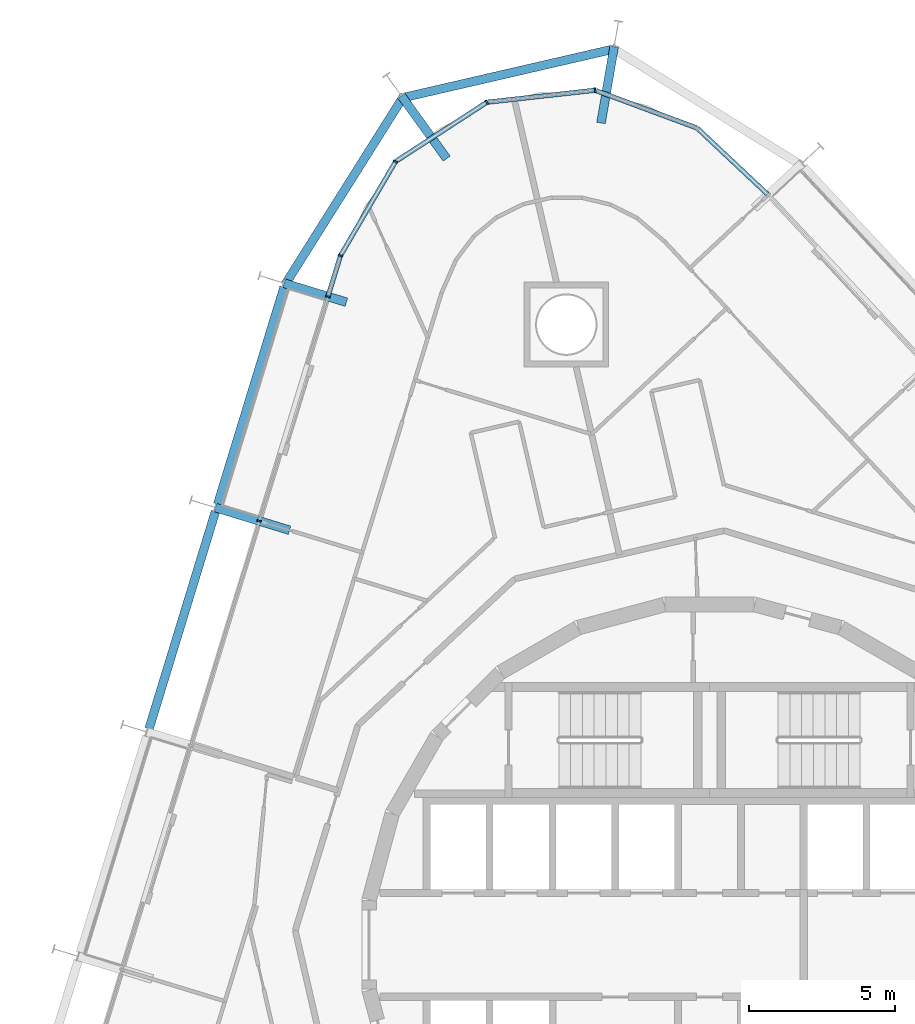
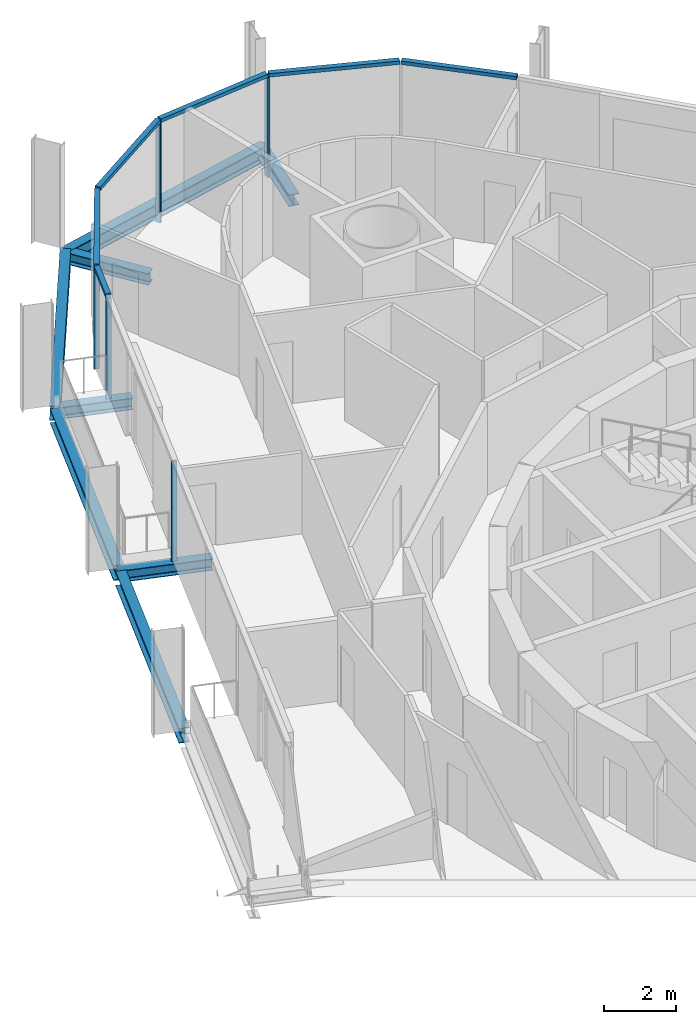
# One storey, part 7 of 18: 12 members, 8 beams, 2 elements without a shape of their own.
"""IFC4 building model written with IfcOpenShell, lengths in metres."""

from ifc_helpers import new_model, si_unit, direction, frame, origin, origin_2d, place, context, subcontext, project, spatial, rectangle, i_section, extrude, material, layer, layer_set, material_profile, profile_set, type_object, element, aggregate, save


model = new_model("IFC4")

# Units and contexts
model_context = context("Model", 3, precision=1e-05, world=origin(), true_north=direction((0.0, 1.0)))
body_context = subcontext(model_context, "Body", "Model", "MODEL_VIEW")
ifc_project = project(units=[si_unit("LENGTHUNIT", "METRE"), si_unit("AREAUNIT", "SQUARE_METRE"), si_unit("VOLUMEUNIT", "CUBIC_METRE"), si_unit("PLANEANGLEUNIT", "RADIAN"), si_unit("MASSUNIT", "GRAM", prefix="KILO")], contexts=[model_context])

# Site, building, storey
site_placement = place(None, origin())
site = spatial("IfcSite", under=ifc_project, at=site_placement, CompositionType="ELEMENT")
building_placement = place(site_placement, origin())
building = spatial("IfcBuilding", under=site, at=building_placement, Name="Spindle Arch Residences", CompositionType="ELEMENT")
storey_placement = place(building_placement, frame((0.0, 0.0, 120.39990234375)))
storey = spatial("IfcBuildingStorey", under=building, at=storey_placement, Name="L29", CompositionType="ELEMENT", Elevation=120.39990234375)

# Curtain wall, members
ifc_material_1 = material(Name="Aluminium bronze unitised frame with tinted glass", Category="aluminium")
ifc_layer_1 = layer(ifc_material_1, 0.159912109375)
ifc_layer_set_1 = layer_set([ifc_layer_1], Name="CW-D corner wall on the fillet arcs")
curtain_wall_type_1 = type_object("IfcCurtainWallType", Name="CW-D corner wall on the fillet arcs", PredefinedType="NOTDEFINED", material=ifc_layer_set_1)
curtain_wall_1_placement = place(storey_placement, origin())
curtain_wall_1 = element("IfcCurtainWall", 1, at=curtain_wall_1_placement, inside=storey, type_object=curtain_wall_type_1, Name="CW-D L29 run 3", PredefinedType="NOTDEFINED")
ifc_material_2 = material(Name="Aluminium bronze anodised mullion", Category="aluminium")
ifc_material_profile_1 = material_profile(ifc_material_2, rectangle(XDim=0.159912109375, YDim=0.06005859375, at=origin_2d()), Name="MU 60x160")
ifc_profile_set_1 = profile_set([ifc_material_profile_1], Name="Aluminium bronze anodised mullion")
member_type_1 = type_object("IfcMemberType", Name="Bronze mullion 60x160", PredefinedType="MULLION", material=ifc_profile_set_1)
member_1_placement = place(storey_placement, frame((-3.9150390625, 29.243408203125, -0.3798828125), z_axis=(0.0, 0.0, 1.0), x_axis=(0.110312556619, -0.993896946294, 0.0)))
member_1 = element("IfcMember", 2, at=member_1_placement, type_object=member_type_1, Name="CW-D mullion 02", PredefinedType="MULLION", context=body_context, shape_type="SweptSolid", body=[
    extrude(rectangle(XDim=0.159912109375, YDim=0.06005859375, at=origin_2d()), origin(), (0.0, 0.0, 1.0), 3.3798828125),
])
member_2_placement = place(storey_placement, frame((-7.619140625, 28.832275390625, -0.3798828125), z_axis=(0.0, 0.0, 1.0), x_axis=(0.544639035308, -0.838670567755, 0.0)))
member_2 = element("IfcMember", 3, at=member_2_placement, type_object=member_type_1, Name="CW-D mullion 03", PredefinedType="MULLION", context=body_context, shape_type="SweptSolid", body=[
    extrude(rectangle(XDim=0.159912109375, YDim=0.06005859375, at=origin_2d()), origin(), (0.0, 0.0, 1.0), 3.3798828125),
])
member_3_placement = place(storey_placement, frame((-10.74462890625, 26.802490234375, -0.3798828125), z_axis=(0.0, 0.0, 1.0), x_axis=(0.863101880723, -0.505029844161, 0.0)))
member_3 = element("IfcMember", 4, at=member_3_placement, type_object=member_type_1, Name="CW-D mullion 04", PredefinedType="MULLION", context=body_context, shape_type="SweptSolid", body=[
    extrude(rectangle(XDim=0.159912109375, YDim=0.06005859375, at=origin_2d()), origin(), (0.0, 0.0, 1.0), 3.3798828125),
])
member_4_placement = place(storey_placement, frame((-12.626708984375, 23.5859375, -0.3798828125), z_axis=(0.0, 0.0, 1.0), x_axis=(0.956304755963, -0.292371704723, 0.0)))
member_4 = element("IfcMember", 5, at=member_4_placement, type_object=member_type_1, Name="CW-D mullion 05", PredefinedType="MULLION", context=body_context, shape_type="SweptSolid", body=[
    extrude(rectangle(XDim=0.159912109375, YDim=0.06005859375, at=origin_2d()), origin(), (0.0, 0.0, 1.0), 3.3798828125),
])

ifc_material_3 = material(Name="Aluminium bronze unitised frame with tinted glass", Category="aluminium")
ifc_layer_2 = layer(ifc_material_3, 0.159912109375)
ifc_layer_set_2 = layer_set([ifc_layer_2], Name="CW-C typical residential unitised wall")
curtain_wall_type_2 = type_object("IfcCurtainWallType", Name="CW-C typical residential unitised wall", PredefinedType="NOTDEFINED", material=ifc_layer_set_2)
curtain_wall_2_placement = place(storey_placement, origin())
curtain_wall_2 = element("IfcCurtainWall", 6, at=curtain_wall_2_placement, inside=storey, type_object=curtain_wall_type_2, Name="CW-C L29 run 4", PredefinedType="NOTDEFINED")
member_5_placement = place(storey_placement, frame((-13.0556640625, 22.182861328125, -0.3798828125), z_axis=(0.0, 0.0, 1.0), x_axis=(0.956304755963, -0.292371704723, 0.0)))
member_5 = element("IfcMember", 7, at=member_5_placement, type_object=member_type_1, Name="CW-C mullion 12", PredefinedType="MULLION", context=body_context, shape_type="SweptSolid", body=[
    extrude(rectangle(XDim=0.159912109375, YDim=0.06005859375, at=origin_2d()), origin(), (0.0, 0.0, 1.0), 3.3798828125),
])
member_6_placement = place(storey_placement, frame((-15.4033203125, 14.504638671875, -0.3798828125), z_axis=(0.0, 0.0, 1.0), x_axis=(0.956304755963, -0.292371704723, 0.0)))
member_6 = element("IfcMember", 8, at=member_6_placement, type_object=member_type_1, Name="CW-C mullion 13", PredefinedType="MULLION", context=body_context, shape_type="SweptSolid", body=[
    extrude(rectangle(XDim=0.159912109375, YDim=0.06005859375, at=origin_2d()), origin(), (0.0, 0.0, 1.0), 3.3798828125),
])
aggregate(curtain_wall_2, [member_5, member_6])

# Member
ifc_material_4 = material(Name="Aluminium bronze anodised transom", Category="aluminium")
ifc_material_profile_2 = material_profile(ifc_material_4, rectangle(XDim=0.159912109375, YDim=0.1201171875, at=origin_2d()), Name="TR 120x160")
ifc_profile_set_2 = profile_set([ifc_material_profile_2], Name="Aluminium bronze anodised transom")
member_type_2 = type_object("IfcMemberType", Name="Bronze transom 120x160", PredefinedType="USERDEFINED", material=ifc_profile_set_2)
member_7_placement = place(storey_placement, frame((1.98828125, 25.681640625, 3.06005859375), z_axis=(-0.72826996669, 0.685290344027, 0.0), x_axis=(-0.685290344027, -0.72826996669, 0.0)))
member_7 = element("IfcMember", 9, at=member_7_placement, type_object=member_type_2, Name="CW-D transom 00", ObjectType="TRANSOM", PredefinedType="USERDEFINED", context=body_context, shape_type="SweptSolid", body=[
    extrude(rectangle(XDim=0.159912109375, YDim=0.1201171875, at=origin_2d()), origin(), (0.0, 0.0, 1.0), 3.277587890625),
])

member_8_placement = place(storey_placement, frame((-0.44873046875, 27.958740234375, 3.06005859375), z_axis=(-0.937682080581, 0.347494339172, 0.0), x_axis=(-0.347494339172, -0.937682080581, 0.0)))
member_8 = element("IfcMember", 10, at=member_8_placement, type_object=member_type_2, Name="CW-D transom 01", ObjectType="TRANSOM", PredefinedType="USERDEFINED", context=body_context, shape_type="SweptSolid", body=[
    extrude(rectangle(XDim=0.159912109375, YDim=0.1201171875, at=origin_2d()), origin(), (0.0, 0.0, 1.0), 3.666748046875),
])

member_9_placement = place(storey_placement, frame((-3.945068359375, 29.239990234375, 3.06005859375), z_axis=(-0.993895097359, -0.110329213929, 0.0), x_axis=(0.110329213929, -0.993895097359, 0.0)))
member_9 = element("IfcMember", 11, at=member_9_placement, type_object=member_type_2, Name="CW-D transom 02", ObjectType="TRANSOM", PredefinedType="USERDEFINED", context=body_context, shape_type="SweptSolid", body=[
    extrude(rectangle(XDim=0.159912109375, YDim=0.1201171875, at=origin_2d()), origin(), (0.0, 0.0, 1.0), 3.666748046875),
])

member_10_placement = place(storey_placement, frame((-7.644287109375, 28.81591796875, 3.06005859375), z_axis=(-0.838668683676, -0.544641936525, 0.0), x_axis=(0.544641936525, -0.838668683676, 0.0)))
member_10 = element("IfcMember", 12, at=member_10_placement, type_object=member_type_2, Name="CW-D transom 03", ObjectType="TRANSOM", PredefinedType="USERDEFINED", context=body_context, shape_type="SweptSolid", body=[
    extrude(rectangle(XDim=0.159912109375, YDim=0.1201171875, at=origin_2d()), origin(), (0.0, 0.0, 1.0), 3.666748046875),
])

member_11_placement = place(storey_placement, frame((-10.759765625, 26.776611328125, 3.06005859375), z_axis=(-0.505025585574, -0.86310437255, 0.0), x_axis=(0.86310437255, -0.505025585574, 0.0)))
member_11 = element("IfcMember", 13, at=member_11_placement, type_object=member_type_2, Name="CW-D transom 04", ObjectType="TRANSOM", PredefinedType="USERDEFINED", context=body_context, shape_type="SweptSolid", body=[
    extrude(rectangle(XDim=0.159912109375, YDim=0.1201171875, at=origin_2d()), origin(), (0.0, 0.0, 1.0), 3.666748046875),
])

member_12_placement = place(storey_placement, frame((-12.635498046875, 23.55712890625, 3.06005859375), z_axis=(-0.292390464398, -0.956299020354, 0.0), x_axis=(0.956299020354, -0.292390464398, 0.0)))
member_12 = element("IfcMember", 14, at=member_12_placement, type_object=member_type_2, Name="CW-D transom 05", ObjectType="TRANSOM", PredefinedType="USERDEFINED", context=body_context, shape_type="SweptSolid", body=[
    extrude(rectangle(XDim=0.159912109375, YDim=0.1201171875, at=origin_2d()), origin(), (0.0, 0.0, 1.0), 1.406982421875),
])

aggregate(curtain_wall_1, [member_7, member_8, member_1, member_9, member_2, member_10, member_3, member_11, member_4, member_12])

# Beams
ifc_material_5 = material(Name="Steel S460ML, intumescent coating R 120", Category="steel")
ifc_material_profile_3 = material_profile(ifc_material_5, i_section(OverallWidth=0.300048828125, OverallDepth=0.5, WebThickness=0.014404296875, FlangeThickness=0.028076171875, FilletRadius=0.027099609375, at=origin_2d()), Name="HEB 500")
ifc_profile_set_3 = profile_set([ifc_material_profile_3], Name="Steel S460ML, intumescent coating R 120")
beam_type_1 = type_object("IfcBeamType", Name="Exoskeleton edge beam HEB 500", PredefinedType="BEAM", material=ifc_profile_set_3)
beam_1_placement = place(storey_placement, frame((-3.20166015625, 30.670166015625, -0.6298828125), z_axis=(-0.974372141151, -0.224942060428, 0.0), x_axis=(0.224942060428, -0.974372141151, 0.0)))
element("IfcBeam", 15, at=beam_1_placement, inside=storey, type_object=beam_type_1, Name="Exoskeleton edge beam 11", PredefinedType="BEAM", context=body_context, shape_type="SweptSolid", body=[
    extrude(i_section(OverallWidth=0.300048828125, OverallDepth=0.5, WebThickness=0.014404296875, FlangeThickness=0.028076171875, FilletRadius=0.027099609375, at=origin_2d()), origin(), (0.0, 0.0, 1.0), 7.5595703125),
])
beam_2_placement = place(storey_placement, frame((-10.47509765625, 29.022705078125, -0.6298828125), z_axis=(-0.532774034173, -0.846257542661, 0.0), x_axis=(0.846257542661, -0.532774034173, 0.0)))
element("IfcBeam", 16, at=beam_2_placement, inside=storey, type_object=beam_type_1, Name="Exoskeleton edge beam 12", PredefinedType="BEAM", context=body_context, shape_type="SweptSolid", body=[
    extrude(i_section(OverallWidth=0.300048828125, OverallDepth=0.5, WebThickness=0.014404296875, FlangeThickness=0.028076171875, FilletRadius=0.027099609375, at=origin_2d()), origin(), (0.0, 0.0, 1.0), 7.591796875),
])
for number, where, z_axis, x_axis, name in (
    (17, (-14.556884765625, 22.505859375, -0.6298828125), (-0.292380603236, -0.956302035369, 0.0), (0.956302035369, -0.292380603236, 0.0), "Exoskeleton edge beam 13"),
    (18, (-16.904296875, 14.82763671875, -0.6298828125), (-0.292371816855, -0.956304721681, 0.0), (0.956304721681, -0.292371816855, 0.0), "Exoskeleton edge beam 14"),
):
    element("IfcBeam", number, at=place(storey_placement, frame(where, z_axis=z_axis, x_axis=x_axis)), inside=storey, type_object=beam_type_1, Name=name, PredefinedType="BEAM", context=body_context, shape_type="SweptSolid", body=[
        extrude(i_section(OverallWidth=0.300048828125, OverallDepth=0.5, WebThickness=0.014404296875, FlangeThickness=0.028076171875, FilletRadius=0.027099609375, at=origin_2d()), origin(), (0.0, 0.0, 1.0), 7.76904296875),
    ])
ifc_material_6 = material(Name="Steel S460ML, intumescent coating R 120", Category="steel")
ifc_material_profile_4 = material_profile(ifc_material_6, i_section(OverallWidth=0.300048828125, OverallDepth=0.389892578125, WebThickness=0.010986328125, FlangeThickness=0.01904296875, FilletRadius=0.027099609375, at=origin_2d()), Name="HEA 400")
ifc_profile_set_4 = profile_set([ifc_material_profile_4], Name="Steel S460ML, intumescent coating R 120")
beam_type_2 = type_object("IfcBeamType", Name="Floor outrigger HEA 400", PredefinedType="BEAM", material=ifc_profile_set_4)
for number, where, z_axis, x_axis, name in (
    (19, (-3.26171875, 30.7333984375, -0.574951171875), (-0.169700209351, -0.985495732587, 0.0), (0.985495732587, -0.169700209351, 0.0), "Floor outrigger 11"),
    (20, (-10.541015625, 29.052734375, -0.574951171875), (0.584588663969, -0.811329830561, 0.0), (0.811329830561, 0.584588663969, 0.0), "Floor outrigger 12"),
):
    element("IfcBeam", number, at=place(storey_placement, frame(where, z_axis=z_axis, x_axis=x_axis)), inside=storey, type_object=beam_type_2, Name=name, PredefinedType="BEAM", context=body_context, shape_type="SweptSolid", body=[
        extrude(i_section(OverallWidth=0.300048828125, OverallDepth=0.389892578125, WebThickness=0.010986328125, FlangeThickness=0.01904296875, FilletRadius=0.027099609375, at=origin_2d()), origin(), (0.0, 0.0, 1.0), 2.64990234375),
    ])
beam_3_placement = place(storey_placement, frame((-14.55712890625, 22.641845703125, -0.574951171875), z_axis=(0.956331173438, -0.292285283091, 0.0), x_axis=(0.292285283091, 0.956331173438, 0.0)))
element("IfcBeam", 21, at=beam_3_placement, inside=storey, type_object=beam_type_2, Name="Floor outrigger 13", PredefinedType="BEAM", context=body_context, shape_type="SweptSolid", body=[
    extrude(i_section(OverallWidth=0.300048828125, OverallDepth=0.389892578125, WebThickness=0.010986328125, FlangeThickness=0.01904296875, FilletRadius=0.027099609375, at=origin_2d()), origin(), (0.0, 0.0, 1.0), 2.230224609375),
])
beam_4_placement = place(storey_placement, frame((-16.904541015625, 14.963623046875, -0.574951171875), z_axis=(0.956291475666, -0.292415139091, 0.0), x_axis=(0.292415139091, 0.956291475666, 0.0)))
element("IfcBeam", 22, at=beam_4_placement, inside=storey, type_object=beam_type_2, Name="Floor outrigger 14", PredefinedType="BEAM", context=body_context, shape_type="SweptSolid", body=[
    extrude(i_section(OverallWidth=0.300048828125, OverallDepth=0.389892578125, WebThickness=0.010986328125, FlangeThickness=0.01904296875, FilletRadius=0.027099609375, at=origin_2d()), origin(), (0.0, 0.0, 1.0), 2.64990234375),
])

save(model, "model.ifc")
